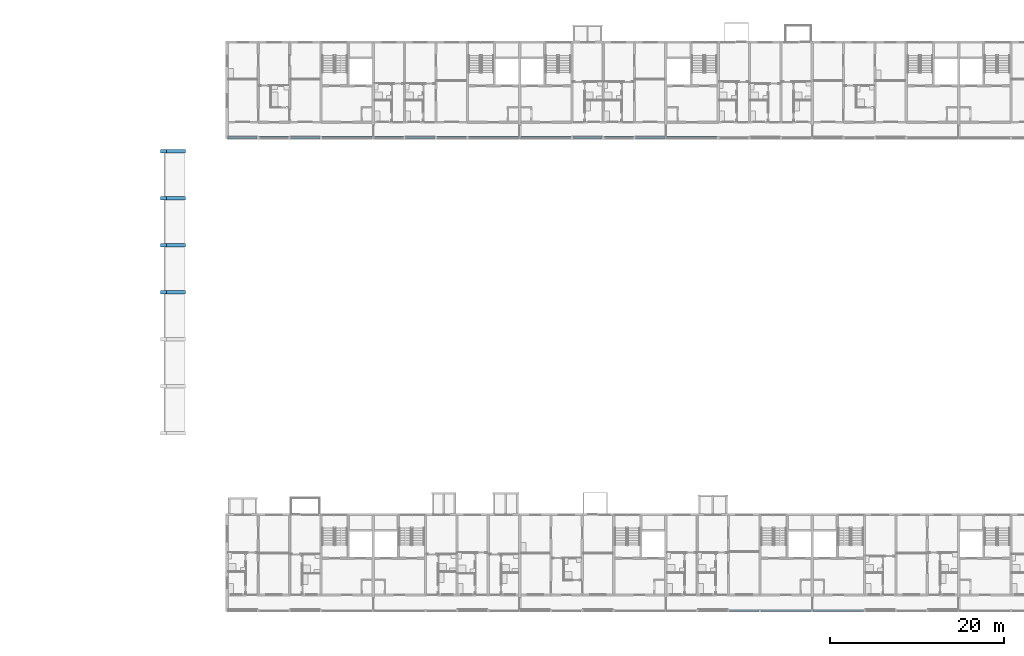
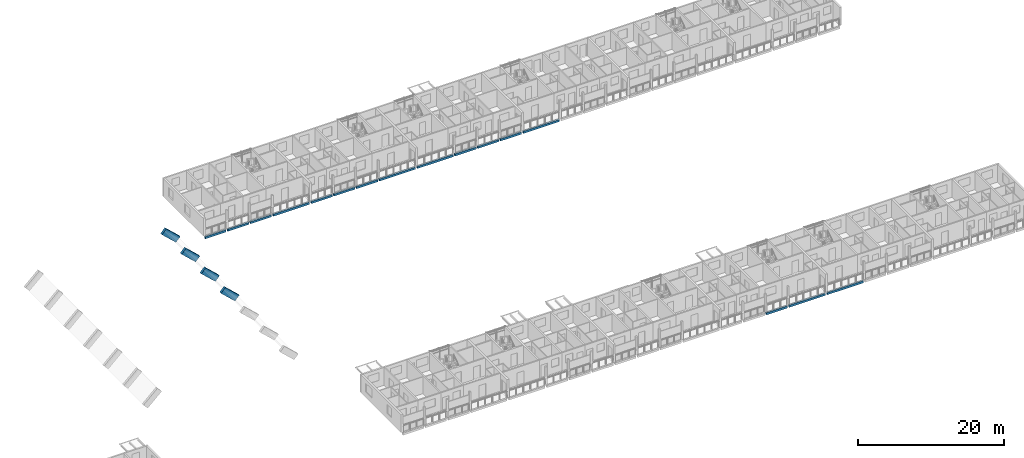
# One storey, part 17 of 98: 20 beams.
"""IFC4 building model written with IfcOpenShell, lengths in metres."""

from ifc_helpers import new_model, si_unit, direction, frame, origin, origin_2d, place, context, subcontext, project, spatial, rectangle, extrude, material, material_profile, profile_set, type_object, element, save


model = new_model("IFC4")

# Units and contexts
model_context = context("Model", 3, precision=1e-05, world=origin(), true_north=direction((0.0, 1.0)))
body_context = subcontext(model_context, "Body", "Model", "MODEL_VIEW")
ifc_project = project(units=[si_unit("LENGTHUNIT", "METRE"), si_unit("AREAUNIT", "SQUARE_METRE"), si_unit("VOLUMEUNIT", "CUBIC_METRE"), si_unit("PLANEANGLEUNIT", "RADIAN"), si_unit("MASSUNIT", "GRAM", prefix="KILO")], contexts=[model_context])

# Site, building, storey
site_placement = place(None, origin())
site = spatial("IfcSite", under=ifc_project, at=site_placement, CompositionType="ELEMENT")
building_placement = place(site_placement, origin())
building = spatial("IfcBuilding", under=site, at=building_placement, Name="Ridgestep Commons", CompositionType="ELEMENT")
storey_placement = place(building_placement, frame((0.0, 0.0, 12.0)))
storey = spatial("IfcBuildingStorey", under=building, at=storey_placement, Name="L04", CompositionType="ELEMENT", Elevation=12.0)

# Beams
ifc_material_1 = material(Name="Precast concrete C50/60", Category="concrete")
ifc_material_profile_1 = material_profile(ifc_material_1, rectangle(XDim=0.39990234375, YDim=1.0, at=origin_2d()), Name="Hall vault rib 400 x 1000")
ifc_profile_set_1 = profile_set([ifc_material_profile_1], Name="Precast concrete C50/60")
beam_type_1 = type_object("IfcBeamType", Name="Hall vault rib 400 x 1000", PredefinedType="BEAM", material=ifc_profile_set_1)
for number, where, z_axis, x_axis, name in (
    (1, (139.52001953125, 48.39990234375, 4.19970703125), (0.732296720252, 0.0, -0.680985692587), (0.0, 1.0, 0.0), "Hall vault rib R4"),
    (2, (139.52001953125, 53.800048828125, 4.19970703125), (0.732296720252, 0.0, -0.680985692587), (0.0, 1.0, 0.0), "Hall vault rib R5"),
    (3, (139.52001953125, 59.199951171875, 4.19970703125), (0.732296720252, 0.0, -0.680985692587), (0.0, 1.0, 0.0), "Hall vault rib R6"),
    (4, (139.52001953125, 64.60009765625, 4.19970703125), (0.732296720252, 0.0, -0.680985692587), (0.0, 1.0, 0.0), "Hall vault rib R7"),
):
    element("IfcBeam", number, at=place(storey_placement, frame(where, z_axis=z_axis, x_axis=x_axis)), inside=storey, type_object=beam_type_1, Name=name, PredefinedType="BEAM", context=body_context, shape_type="SweptSolid", body=[
        extrude(rectangle(XDim=0.39990234375, YDim=1.0, at=origin_2d()), origin(), (0.0, 0.0, 1.0), 3.011962890625),
    ])
ifc_material_2 = material(Name="Precast concrete C40/50", Category="concrete")
ifc_material_profile_2 = material_profile(ifc_material_2, rectangle(XDim=0.25, YDim=0.35009765625, at=origin_2d()), Name="PC 250x350")
ifc_profile_set_2 = profile_set([ifc_material_profile_2], Name="Precast concrete C40/50")
beam_type_2 = type_object("IfcBeamType", Name="Loggia edge beam 250 x 350", PredefinedType="SPANDREL", material=ifc_profile_set_2)
beam_1_placement = place(storey_placement, frame((146.949951171875, 66.125, -0.375), z_axis=(1.0, 0.0, 0.0), x_axis=(0.0, 1.0, 0.0)))
element("IfcBeam", 5, at=beam_1_placement, inside=storey, type_object=beam_type_2, Name="Loggia edge beam C1T1 L04", PredefinedType="SPANDREL", context=body_context, shape_type="SweptSolid", body=[
    extrude(rectangle(XDim=0.25, YDim=0.35009765625, at=origin_2d()), origin(), (0.0, 0.0, 1.0), 3.324951171875),
])
for number, where, z_axis, x_axis, name in (
    (6, (150.52490234375, 66.125, -0.375), (1.0, 0.0, 0.0), (0.0, 1.0, 0.0), "Loggia edge beam C1T2 L04"),
    (7, (154.125, 66.125, -0.375), (1.0, 0.0, 0.0), (0.0, 1.0, 0.0), "Loggia edge beam C1T3 L04"),
):
    element("IfcBeam", number, at=place(storey_placement, frame(where, z_axis=z_axis, x_axis=x_axis)), inside=storey, type_object=beam_type_2, Name=name, PredefinedType="SPANDREL", context=body_context, shape_type="SweptSolid", body=[
        extrude(rectangle(XDim=0.25, YDim=0.35009765625, at=origin_2d()), origin(), (0.0, 0.0, 1.0), 3.35009765625),
    ])
beam_2_placement = place(storey_placement, frame((157.72509765625, 66.125, -0.375), z_axis=(1.0, 0.0, 0.0), x_axis=(0.0, 1.0, 0.0)))
element("IfcBeam", 8, at=beam_2_placement, inside=storey, type_object=beam_type_2, Name="Loggia edge beam C1C L04", PredefinedType="SPANDREL", context=body_context, shape_type="SweptSolid", body=[
    extrude(rectangle(XDim=0.25, YDim=0.35009765625, at=origin_2d()), origin(), (0.0, 0.0, 1.0), 5.724853515625),
])
beam_3_placement = place(storey_placement, frame((163.75, 66.125, -0.375), z_axis=(1.0, 0.0, 0.0), x_axis=(0.0, 1.0, 0.0)))
element("IfcBeam", 9, at=beam_3_placement, inside=storey, type_object=beam_type_2, Name="Loggia edge beam C2T1 L04", PredefinedType="SPANDREL", context=body_context, shape_type="SweptSolid", body=[
    extrude(rectangle(XDim=0.25, YDim=0.35009765625, at=origin_2d()), origin(), (0.0, 0.0, 1.0), 3.324951171875),
])
beam_4_placement = place(storey_placement, frame((167.324951171875, 66.125, -0.375), z_axis=(1.0, 0.0, 0.0), x_axis=(0.0, 1.0, 0.0)))
element("IfcBeam", 10, at=beam_4_placement, inside=storey, type_object=beam_type_2, Name="Loggia edge beam C2T2 L04", PredefinedType="SPANDREL", context=body_context, shape_type="SweptSolid", body=[
    extrude(rectangle(XDim=0.25, YDim=0.35009765625, at=origin_2d()), origin(), (0.0, 0.0, 1.0), 3.35009765625),
])
beam_5_placement = place(storey_placement, frame((170.925048828125, 66.125, -0.375), z_axis=(1.0, 0.0, 0.0), x_axis=(0.0, 1.0, 0.0)))
element("IfcBeam", 11, at=beam_5_placement, inside=storey, type_object=beam_type_2, Name="Loggia edge beam C2T3 L04", PredefinedType="SPANDREL", context=body_context, shape_type="SweptSolid", body=[
    extrude(rectangle(XDim=0.25, YDim=0.35009765625, at=origin_2d()), origin(), (0.0, 0.0, 1.0), 3.349853515625),
])
beam_6_placement = place(storey_placement, frame((174.52490234375, 66.125, -0.375), z_axis=(1.0, 0.0, 0.0), x_axis=(0.0, 1.0, 0.0)))
element("IfcBeam", 12, at=beam_6_placement, inside=storey, type_object=beam_type_2, Name="Loggia edge beam C2C L04", PredefinedType="SPANDREL", context=body_context, shape_type="SweptSolid", body=[
    extrude(rectangle(XDim=0.25, YDim=0.35009765625, at=origin_2d()), origin(), (0.0, 0.0, 1.0), 5.72509765625),
])
beam_7_placement = place(storey_placement, frame((180.550048828125, 66.125, -0.375), z_axis=(1.0, 0.0, 0.0), x_axis=(0.0, 1.0, 0.0)))
element("IfcBeam", 13, at=beam_7_placement, inside=storey, type_object=beam_type_2, Name="Loggia edge beam C3C L04", PredefinedType="SPANDREL", context=body_context, shape_type="SweptSolid", body=[
    extrude(rectangle(XDim=0.25, YDim=0.35009765625, at=origin_2d()), origin(), (0.0, 0.0, 1.0), 5.724853515625),
])
for number, where, z_axis, x_axis, name in (
    (14, (186.52490234375, 66.125, -0.375), (1.0, 0.0, 0.0), (0.0, 1.0, 0.0), "Loggia edge beam C3T3 L04"),
    (15, (190.125, 66.125, -0.375), (1.0, 0.0, 0.0), (0.0, 1.0, 0.0), "Loggia edge beam C3T2 L04"),
):
    element("IfcBeam", number, at=place(storey_placement, frame(where, z_axis=z_axis, x_axis=x_axis)), inside=storey, type_object=beam_type_2, Name=name, PredefinedType="SPANDREL", context=body_context, shape_type="SweptSolid", body=[
        extrude(rectangle(XDim=0.25, YDim=0.35009765625, at=origin_2d()), origin(), (0.0, 0.0, 1.0), 3.35009765625),
    ])
beam_8_placement = place(storey_placement, frame((193.72509765625, 66.125, -0.375), z_axis=(1.0, 0.0, 0.0), x_axis=(0.0, 1.0, 0.0)))
element("IfcBeam", 16, at=beam_8_placement, inside=storey, type_object=beam_type_2, Name="Loggia edge beam C3T1 L04", PredefinedType="SPANDREL", context=body_context, shape_type="SweptSolid", body=[
    extrude(rectangle(XDim=0.25, YDim=0.35009765625, at=origin_2d()), origin(), (0.0, 0.0, 1.0), 3.324951171875),
])
beam_9_placement = place(storey_placement, frame((197.35009765625, 66.125, -0.375), z_axis=(1.0, 0.0, 0.0), x_axis=(0.0, 1.0, 0.0)))
element("IfcBeam", 17, at=beam_9_placement, inside=storey, type_object=beam_type_2, Name="Loggia edge beam C4C L04", PredefinedType="SPANDREL", context=body_context, shape_type="SweptSolid", body=[
    extrude(rectangle(XDim=0.25, YDim=0.35009765625, at=origin_2d()), origin(), (0.0, 0.0, 1.0), 5.724853515625),
])
beam_10_placement = place(storey_placement, frame((204.52490234375, 11.875, -0.375), z_axis=(1.0, 0.0, 0.0), x_axis=(0.0, 1.0, 0.0)))
element("IfcBeam", 18, at=beam_10_placement, inside=storey, type_object=beam_type_2, Name="Loggia edge beam D4T3 L04", PredefinedType="SPANDREL", context=body_context, shape_type="SweptSolid", body=[
    extrude(rectangle(XDim=0.25, YDim=0.35009765625, at=origin_2d()), origin(), (0.0, 0.0, 1.0), 3.35009765625),
])
for number, where, z_axis, x_axis, name in (
    (19, (208.125, 11.875, -0.375), (1.0, 0.0, 0.0), (0.0, 1.0, 0.0), "Loggia edge beam D4C L04"),
    (20, (214.14990234375, 11.875, -0.375), (1.0, 0.0, 0.0), (0.0, 1.0, 0.0), "Loggia edge beam D5C L04"),
):
    element("IfcBeam", number, at=place(storey_placement, frame(where, z_axis=z_axis, x_axis=x_axis)), inside=storey, type_object=beam_type_2, Name=name, PredefinedType="SPANDREL", context=body_context, shape_type="SweptSolid", body=[
        extrude(rectangle(XDim=0.25, YDim=0.35009765625, at=origin_2d()), origin(), (0.0, 0.0, 1.0), 5.72509765625),
    ])

save(model, "model.ifc")
